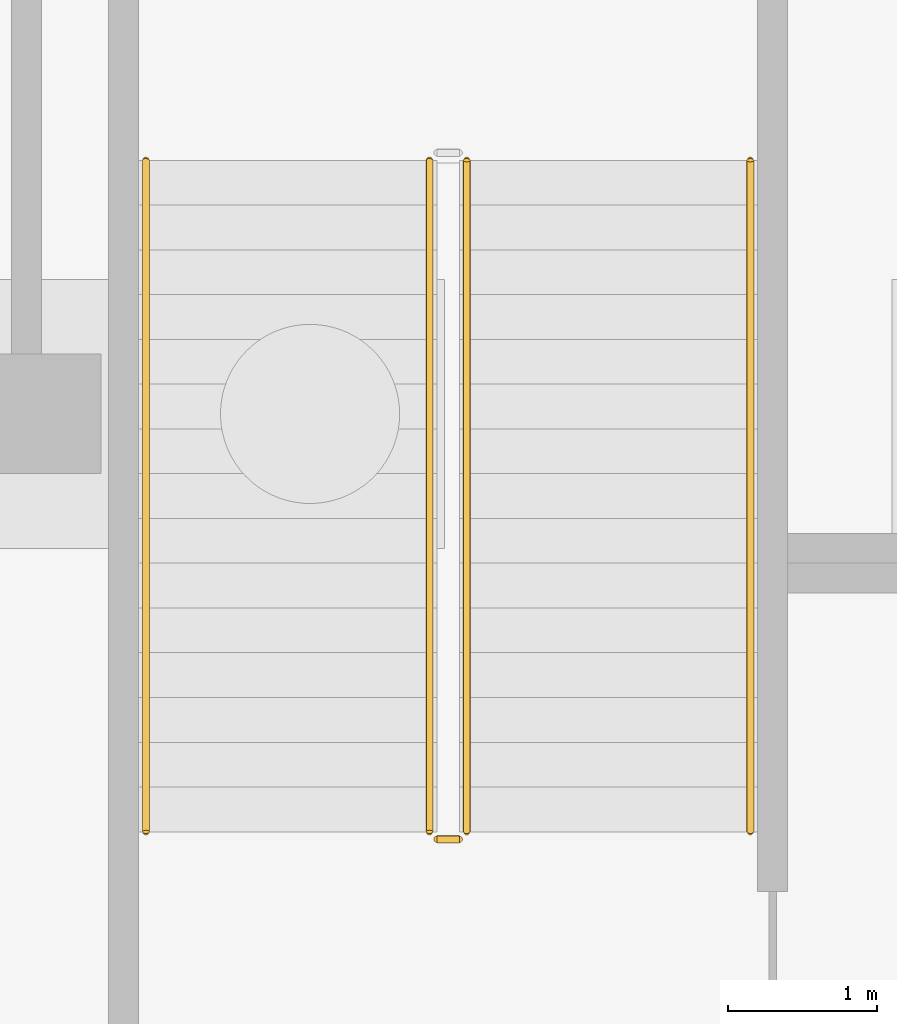
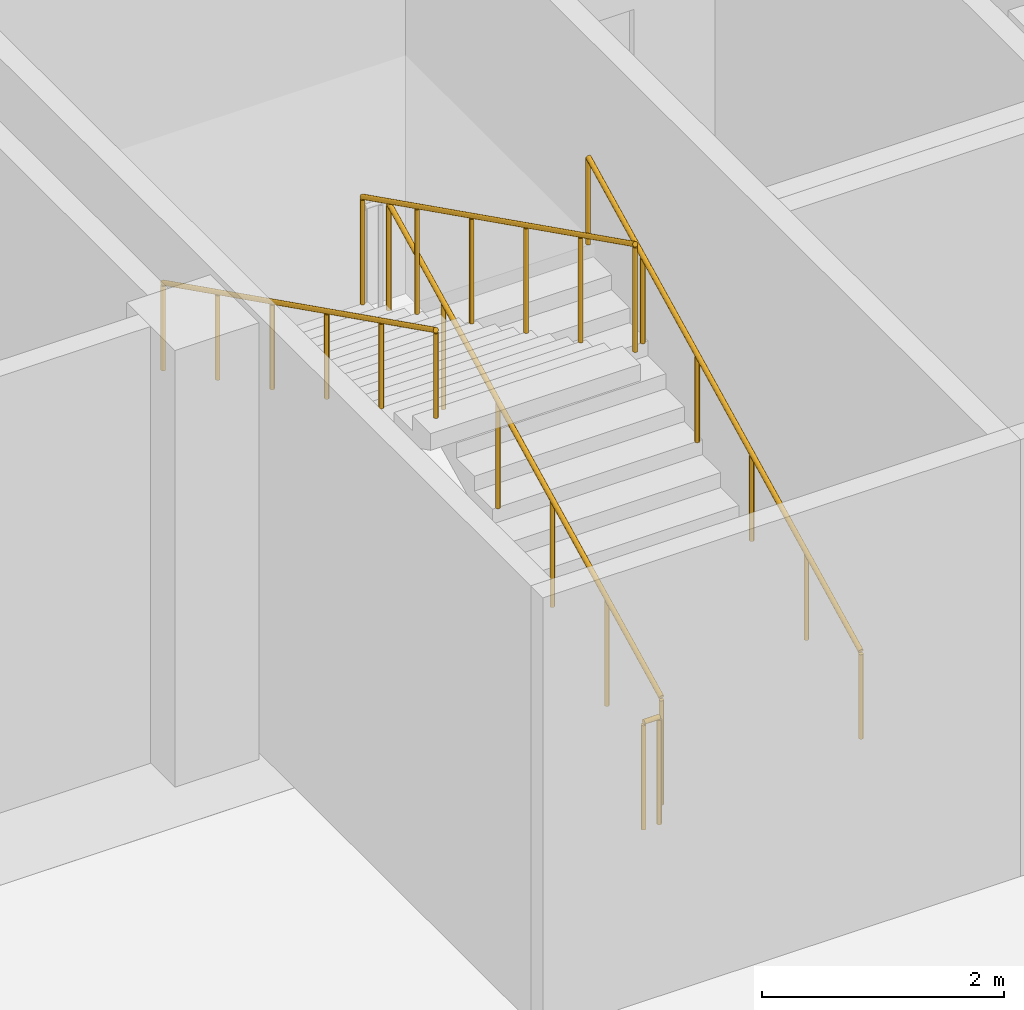
# One storey, part 41 of 46: 5 railings.
"""IFC4 building model written with IfcOpenShell, lengths in metres."""

from ifc_helpers import new_model, si_unit, direction, frame, origin, origin_2d, place, context, subcontext, project, spatial, circle, extrude, material, type_object, element, save


model = new_model("IFC4")

# Units and contexts
model_context = context("Model", 3, precision=1e-05, world=origin(), true_north=direction((0.0, 1.0)))
body_context = subcontext(model_context, "Body", "Model", "MODEL_VIEW")
ifc_project = project(units=[si_unit("LENGTHUNIT", "METRE"), si_unit("AREAUNIT", "SQUARE_METRE"), si_unit("VOLUMEUNIT", "CUBIC_METRE"), si_unit("PLANEANGLEUNIT", "RADIAN"), si_unit("MASSUNIT", "GRAM", prefix="KILO")], contexts=[model_context])

# Site, building, storey
site_placement = place(None, origin())
site = spatial("IfcSite", under=ifc_project, at=site_placement, CompositionType="ELEMENT")
building_placement = place(site_placement, origin())
building = spatial("IfcBuilding", under=site, at=building_placement, Name="Tamra Quay Hotel Tower", CompositionType="ELEMENT")
storey_placement = place(building_placement, frame((0.0, 0.0, -12.0)))
storey = spatial("IfcBuildingStorey", under=building, at=storey_placement, Name="B3", CompositionType="ELEMENT", Elevation=-12.0)

# Railings
ifc_material_1 = material(Name="Basement stair guard 1100")
railing_type_1 = type_object("IfcRailingType", Name="Basement stair guard 1100", PredefinedType="GUARDRAIL", material=ifc_material_1)
railing_1_placement = place(storey_placement, frame((6.14990234375, 45.199951171875, 0.14990234375)))
element("IfcRailing", 1, at=railing_1_placement, inside=storey, type_object=railing_type_1, Name="BSG", PredefinedType="GUARDRAIL", context=body_context, shape_type="SweptSolid", body=[
    extrude(circle(Radius=0.02392578125, at=origin_2d()), frame((0.0, 0.0, 1.076171875), z_axis=(0.0, 0.894427191, 0.4472135955), x_axis=(-1.0, 0.0, 0.0)), (0.0, 0.0, 1.0), 5.03125),
    extrude(circle(Radius=0.02099609375, at=origin_2d()), origin(), (0.0, 0.0, 1.0), 1.052001953125),
    extrude(circle(Radius=0.02099609375, at=origin_2d()), frame((0.0, 0.89990234375, 0.449951171875)), (0.0, 0.0, 1.0), 1.052001953125),
    extrude(circle(Radius=0.02099609375, at=origin_2d()), frame((0.0, 1.800048828125, 0.89990234375)), (0.0, 0.0, 1.0), 1.052001953125),
    extrude(circle(Radius=0.02099609375, at=origin_2d()), frame((0.0, 2.699951171875, 1.35009765625)), (0.0, 0.0, 1.0), 1.052001953125),
    extrude(circle(Radius=0.02099609375, at=origin_2d()), frame((0.0, 3.60009765625, 1.800048828125)), (0.0, 0.0, 1.0), 1.052001953125),
    extrude(circle(Radius=0.02099609375, at=origin_2d()), frame((0.0, 4.5, 2.25)), (0.0, 0.0, 1.0), 1.052001953125),
])
railing_2_placement = place(storey_placement, frame((5.89990234375, 49.699951171875, 2.550048828125)))
element("IfcRailing", 2, at=railing_2_placement, inside=storey, type_object=railing_type_1, Name="BSG", PredefinedType="GUARDRAIL", context=body_context, shape_type="SweptSolid", body=[
    extrude(circle(Radius=0.02392578125, at=origin_2d()), frame((0.0, 0.0, 1.076171875), z_axis=(0.0, -0.894427191, 0.4472135955), x_axis=(1.0, 0.0, 0.0)), (0.0, 0.0, 1.0), 5.03125),
    extrude(circle(Radius=0.02099609375, at=origin_2d()), origin(), (0.0, 0.0, 1.0), 1.052001953125),
    extrude(circle(Radius=0.02099609375, at=origin_2d()), frame((0.0, -0.89990234375, 0.449951171875)), (0.0, 0.0, 1.0), 1.052001953125),
    extrude(circle(Radius=0.02099609375, at=origin_2d()), frame((0.0, -1.800048828125, 0.89990234375)), (0.0, 0.0, 1.0), 1.052001953125),
    extrude(circle(Radius=0.02099609375, at=origin_2d()), frame((0.0, -2.699951171875, 1.35009765625)), (0.0, 0.0, 1.0), 1.052001953125),
    extrude(circle(Radius=0.02099609375, at=origin_2d()), frame((0.0, -3.60009765625, 1.800048828125)), (0.0, 0.0, 1.0), 1.052001953125),
    extrude(circle(Radius=0.02099609375, at=origin_2d()), frame((0.0, -4.5, 2.25)), (0.0, 0.0, 1.0), 1.052001953125),
])
railing_3_placement = place(storey_placement, frame((6.10009765625, 45.14990234375, 0.0)))
element("IfcRailing", 3, at=railing_3_placement, inside=storey, type_object=railing_type_1, Name="BSG", PredefinedType="GUARDRAIL", context=body_context, shape_type="SweptSolid", body=[
    extrude(circle(Radius=0.02392578125, at=origin_2d()), frame((0.0, 0.0, 1.076171875), z_axis=(-1.0, 0.0, 0.0), x_axis=(0.0, -1.0, 0.0)), (0.0, 0.0, 1.0), 0.150146484375),
    extrude(circle(Radius=0.02099609375, at=origin_2d()), origin(), (0.0, 0.0, 1.0), 1.052001953125),
    extrude(circle(Radius=0.02099609375, at=origin_2d()), frame((-0.150146484375, 0.0, 0.0)), (0.0, 0.0, 1.0), 1.052001953125),
])
ifc_material_2 = material(Name="Basement stair handrail 900")
railing_type_2 = type_object("IfcRailingType", Name="Basement stair handrail 900", PredefinedType="HANDRAIL", material=ifc_material_2)
railing_4_placement = place(storey_placement, frame((8.050048828125, 45.199951171875, 0.14990234375)))
element("IfcRailing", 4, at=railing_4_placement, inside=storey, type_object=railing_type_2, Name="BSH", PredefinedType="HANDRAIL", context=body_context, shape_type="SweptSolid", body=[
    extrude(circle(Radius=0.02392578125, at=origin_2d()), frame((0.0, 0.0, 0.8759765625), z_axis=(0.0, 0.894427191, 0.4472135955), x_axis=(-1.0, 0.0, 0.0)), (0.0, 0.0, 1.0), 5.03125),
    extrude(circle(Radius=0.02099609375, at=origin_2d()), origin(), (0.0, 0.0, 1.0), 0.851806640625),
    extrude(circle(Radius=0.02099609375, at=origin_2d()), frame((0.0, 0.89990234375, 0.449951171875)), (0.0, 0.0, 1.0), 0.851806640625),
    extrude(circle(Radius=0.02099609375, at=origin_2d()), frame((0.0, 1.800048828125, 0.89990234375)), (0.0, 0.0, 1.0), 0.851806640625),
    extrude(circle(Radius=0.02099609375, at=origin_2d()), frame((0.0, 2.699951171875, 1.35009765625)), (0.0, 0.0, 1.0), 0.851806640625),
    extrude(circle(Radius=0.02099609375, at=origin_2d()), frame((0.0, 3.60009765625, 1.800048828125)), (0.0, 0.0, 1.0), 0.851806640625),
    extrude(circle(Radius=0.02099609375, at=origin_2d()), frame((0.0, 4.5, 2.25)), (0.0, 0.0, 1.0), 0.851806640625),
])
railing_5_placement = place(storey_placement, frame((4.0, 49.699951171875, 2.550048828125)))
element("IfcRailing", 5, at=railing_5_placement, inside=storey, type_object=railing_type_2, Name="BSH", PredefinedType="HANDRAIL", context=body_context, shape_type="SweptSolid", body=[
    extrude(circle(Radius=0.02392578125, at=origin_2d()), frame((0.0, 0.0, 0.8759765625), z_axis=(0.0, -0.894427191, 0.4472135955), x_axis=(1.0, 0.0, 0.0)), (0.0, 0.0, 1.0), 5.03125),
    extrude(circle(Radius=0.02099609375, at=origin_2d()), origin(), (0.0, 0.0, 1.0), 0.851806640625),
    extrude(circle(Radius=0.02099609375, at=origin_2d()), frame((0.0, -0.89990234375, 0.449951171875)), (0.0, 0.0, 1.0), 0.851806640625),
    extrude(circle(Radius=0.02099609375, at=origin_2d()), frame((0.0, -1.800048828125, 0.89990234375)), (0.0, 0.0, 1.0), 0.851806640625),
    extrude(circle(Radius=0.02099609375, at=origin_2d()), frame((0.0, -2.699951171875, 1.35009765625)), (0.0, 0.0, 1.0), 0.851806640625),
    extrude(circle(Radius=0.02099609375, at=origin_2d()), frame((0.0, -3.60009765625, 1.800048828125)), (0.0, 0.0, 1.0), 0.851806640625),
    extrude(circle(Radius=0.02099609375, at=origin_2d()), frame((0.0, -4.5, 2.25)), (0.0, 0.0, 1.0), 0.851806640625),
])

save(model, "model.ifc")
